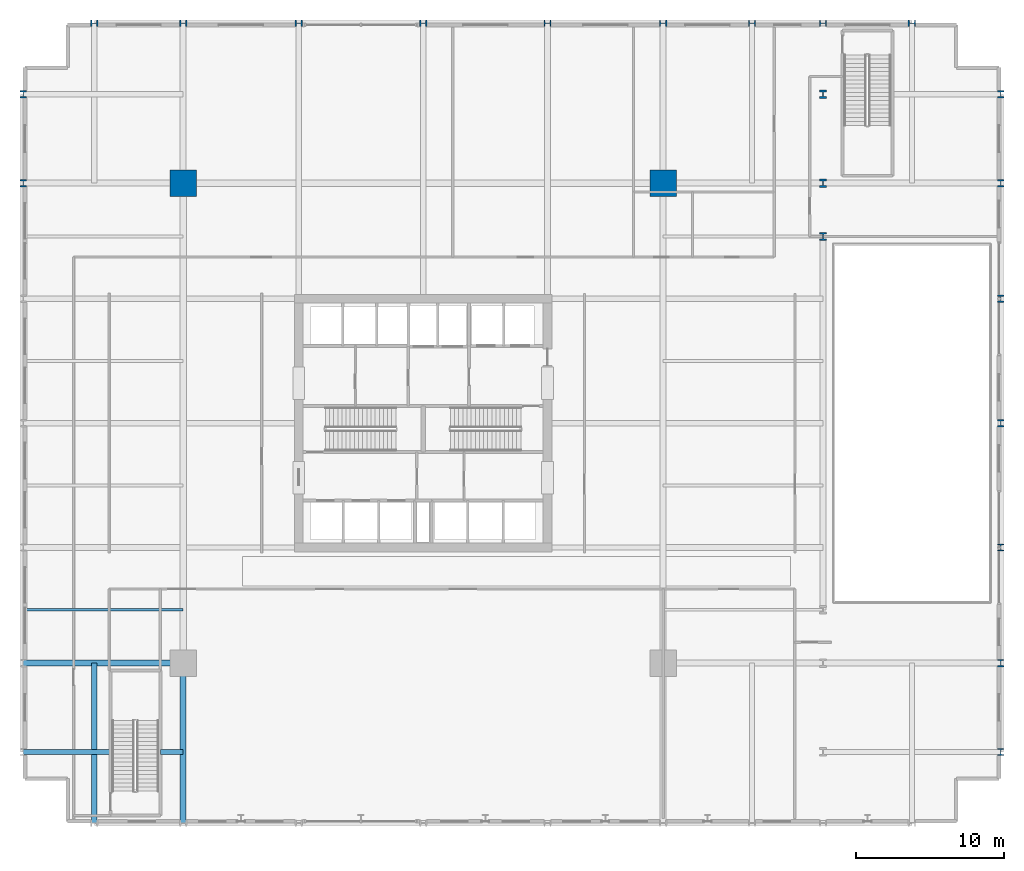
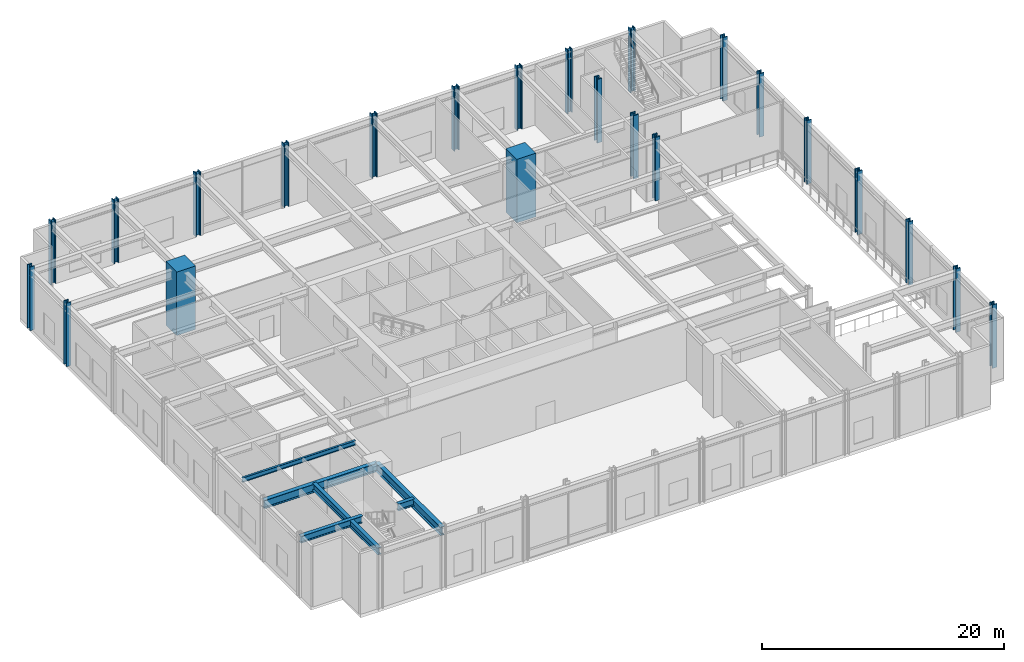
# One storey, part 2 of 20: 23 columns, 6 beams.
"""IFC4 building model written with IfcOpenShell, lengths in metres."""

import ifcopenshell
import ifcopenshell.guid

model = None  # the IFC model being written
_history = None  # IfcOwnerHistory: only IFC2X3 demands one
_inside = {}  # id of a spatial element -> (the spatial element, [elements in it])
_under = {}  # id of a project, library or spatial element -> (it, [spatial elements below it])
_declared = {}  # id of a project -> (the project, [libraries it declares])
_typed = {}  # id of a type object -> (the type object, [elements of that type])
_made_of = {}  # id of a material, layer set ... -> (it, [elements and type objects made of it])


def new_model(schema):
    """Start an empty IFC model of exactly this schema.

    Asked for "IFC4X3", IfcOpenShell would pick the latest addendum, in which some entities
    have other attributes; the version numbers below select the first issue.
    IFC2X3 requires an IfcOwnerHistory on every rooted entity: one is made here for all.
    """
    global model, _history
    if schema == "IFC4X3":
        model = ifcopenshell.file(schema_version=(4, 3, 0, 0))
    else:
        model = ifcopenshell.file(schema=schema)
    _inside.clear()
    _under.clear()
    _declared.clear()
    _typed.clear()
    _made_of.clear()
    _history = None
    if model.schema == "IFC2X3":
        org = make("IfcOrganization", Name="unknown")
        user = make(
            "IfcPersonAndOrganization",
            ThePerson=make("IfcPerson", FamilyName="unknown"),
            TheOrganization=org,
        )
        app = make(
            "IfcApplication",
            ApplicationDeveloper=org,
            Version="unknown",
            ApplicationFullName="unknown",
            ApplicationIdentifier="unknown",
        )
        _history = make(
            "IfcOwnerHistory",
            OwningUser=user,
            OwningApplication=app,
            ChangeAction="ADDED",
            CreationDate=0,
        )
    return model


def make(cls, **values):
    """One entity of the class cls with the attributes given. An attribute that is None is left unset."""
    return model.create_entity(
        cls, **{name: value for name, value in values.items() if value is not None}
    )


def rooted(cls, **values):
    """An entity with a GlobalId (a new one), such as an element, a storey or a relation."""
    return make(cls, GlobalId=ifcopenshell.guid.new(), OwnerHistory=_history, **values)


def si_unit(unit_type, name, prefix=None):
    """IfcSIUnit, for example si_unit("LENGTHUNIT", "METRE", prefix="MILLI")."""
    return make("IfcSIUnit", UnitType=unit_type, Prefix=prefix, Name=name)


def assignment(units):
    """IfcUnitAssignment: the units of a project."""
    return None if units is None else make("IfcUnitAssignment", Units=units)


def point(xyz):
    """IfcCartesianPoint."""
    return None if xyz is None else make("IfcCartesianPoint", Coordinates=xyz)


def direction(xyz):
    """IfcDirection."""
    return None if xyz is None else make("IfcDirection", DirectionRatios=xyz)


def frame(location, z_axis=None, x_axis=None):
    """IfcAxis2Placement3D, a coordinate frame: its origin and axes. An axis left out is left unset."""
    return make(
        "IfcAxis2Placement3D",
        Location=point(location),
        Axis=direction(z_axis),
        RefDirection=direction(x_axis),
    )


def frame_2d(location, x_axis=None):
    """IfcAxis2Placement2D, a coordinate frame in the plane: its origin and x axis."""
    return make(
        "IfcAxis2Placement2D", Location=point(location), RefDirection=direction(x_axis)
    )


def origin():
    """The frame at (0, 0, 0) with its axes left unset."""
    return frame((0.0, 0.0, 0.0))


def origin_2d():
    """The frame at (0, 0) in the plane with its x axis left unset."""
    return frame_2d((0.0, 0.0))


def place(relative_to, where):
    """IfcLocalPlacement: puts the frame where relative to a parent placement (None: the world)."""
    return make(
        "IfcLocalPlacement", PlacementRelTo=relative_to, RelativePlacement=where
    )


def context(
    kind, dimensions, precision=None, world=None, true_north=None, identifier=None
):
    """IfcGeometricRepresentationContext, for example the 3D "Model" context."""
    return make(
        "IfcGeometricRepresentationContext",
        ContextIdentifier=identifier,
        ContextType=kind,
        CoordinateSpaceDimension=dimensions,
        Precision=precision,
        WorldCoordinateSystem=world,
        TrueNorth=true_north,
    )


def subcontext(parent, identifier, kind, view, scale=None):
    """IfcGeometricRepresentationSubContext, for example "Body" below "Model"."""
    return make(
        "IfcGeometricRepresentationSubContext",
        ContextIdentifier=identifier,
        ContextType=kind,
        ParentContext=parent,
        TargetScale=scale,
        TargetView=view,
    )


def project(units=None, contexts=None):
    """IfcProject with its units and contexts."""
    return rooted(
        "IfcProject",
        Name="project",
        RepresentationContexts=contexts,
        UnitsInContext=assignment(units),
    )


def spatial(cls, under=None, at=None, **own):
    """A site, building, storey or space (cls), placed at a placement, below another one or the project."""
    s = rooted(cls, ObjectPlacement=at, **own)
    if under is not None:
        _under.setdefault(under.id(), (under, []))[1].append(s)
    return s


def profile(cls, at=None, kind="AREA", **sizes):
    """A parametric profile (cls). Its sizes go by their IFC names, for example OverallWidth=200.0."""
    return make(cls, ProfileType=kind, Position=at, **sizes)


def rectangle(**sizes):
    """IfcRectangleProfileDef."""
    return profile("IfcRectangleProfileDef", **sizes)


def i_section(**sizes):
    """IfcIShapeProfileDef."""
    return profile("IfcIShapeProfileDef", **sizes)


def extrude(swept, where, along, depth):
    """IfcExtrudedAreaSolid: the profile swept, set in the frame where, extruded along a direction by depth."""
    return make(
        "IfcExtrudedAreaSolid",
        SweptArea=swept,
        Position=where,
        ExtrudedDirection=direction(along),
        Depth=depth,
    )


def shape(context_of_items, identifier, shape_type, items):
    """IfcShapeRepresentation: the items that make up one representation, for example the "Body"."""
    return make(
        "IfcShapeRepresentation",
        ContextOfItems=context_of_items,
        RepresentationIdentifier=identifier,
        RepresentationType=shape_type,
        Items=items,
    )


def material(Name=None, Category=None):
    """IfcMaterial."""
    return make("IfcMaterial", Name=Name, Category=Category)


def material_profile(
    of_material, cross_section, Name=None, Category=None, Priority=None
):
    """IfcMaterialProfile: a cross section and its material."""
    return make(
        "IfcMaterialProfile",
        Name=Name,
        Material=of_material,
        Profile=cross_section,
        Priority=Priority,
        Category=Category,
    )


def profile_set(profiles, Name=None, composite=None):
    """IfcMaterialProfileSet."""
    return make(
        "IfcMaterialProfileSet",
        Name=Name,
        MaterialProfiles=profiles,
        CompositeProfile=composite,
    )


def made_of(thing, what):
    """Note that an element or type object is made of a material, layer set ...; save() writes the relation."""
    if what is not None:
        _made_of.setdefault(what.id(), (what, []))[1].append(thing)
    return thing


def type_object(cls, material=None, **own):
    """A type object (cls), such as IfcWallType, which elements share."""
    return made_of(rooted(cls, **own), material)


def element(
    cls,
    number,
    at=None,
    inside=None,
    cuts=None,
    type_object=None,
    material=None,
    context=None,
    identifier="Body",
    shape_type=None,
    held_by="IfcProductDefinitionShape",
    body=None,
    shapes=None,
    **own,
):
    """One element of the class cls, such as IfcWall. Its Tag is "e" and its number.

    at: its placement. inside: the storey or other place that contains it. cuts: it is an
    opening in that element (IfcRelVoidsElement). A single representation is given by context,
    identifier, shape_type and body (its items); several are given by shapes. held_by: the class
    of the entity that holds the representations. save() writes the other relations.
    """
    e = rooted(cls, Tag="e%d" % number, ObjectPlacement=at, **own)
    if body is not None:
        shapes = [shape(context, identifier, shape_type, body)]
    if shapes is not None:
        e.Representation = make(held_by, Representations=shapes)
    if inside is not None:
        _inside.setdefault(inside.id(), (inside, []))[1].append(e)
    if cuts is not None:
        rooted(
            "IfcRelVoidsElement", RelatingBuildingElement=cuts, RelatedOpeningElement=e
        )
    if type_object is not None:
        _typed.setdefault(type_object.id(), (type_object, []))[1].append(e)
    return made_of(e, material)


def aggregate(whole, parts):
    """IfcRelAggregates: a whole, such as a stair, and the parts it consists of."""
    return rooted("IfcRelAggregates", RelatingObject=whole, RelatedObjects=parts)


def save(model, path):
    """Write the relations noted so far, then the file.

    IfcRelAggregates (storeys below a building ...), IfcRelContainedInSpatialStructure (elements
    in a storey), IfcRelDefinesByType, IfcRelAssociatesMaterial and IfcRelDeclares: one each for
    every whole, place, type object, material and project.
    """
    for whole, parts in _under.values():
        aggregate(whole, parts)
    for where, things in _inside.values():
        rooted(
            "IfcRelContainedInSpatialStructure",
            RelatedElements=things,
            RelatingStructure=where,
        )
    for kind, things in _typed.values():
        rooted("IfcRelDefinesByType", RelatedObjects=things, RelatingType=kind)
    for what, things in _made_of.values():
        rooted("IfcRelAssociatesMaterial", RelatedObjects=things, RelatingMaterial=what)
    for by, libraries in _declared.values():
        rooted("IfcRelDeclares", RelatingContext=by, RelatedDefinitions=libraries)
    model.write(path)


model = new_model("IFC4")

# Units and contexts
model_context = context("Model", 3, precision=1e-05, world=origin(), true_north=direction((0.0, 1.0)))
body_context = subcontext(model_context, "Body", "Model", "MODEL_VIEW")
ifc_project = project(units=[si_unit("LENGTHUNIT", "METRE"), si_unit("AREAUNIT", "SQUARE_METRE"), si_unit("VOLUMEUNIT", "CUBIC_METRE"), si_unit("PLANEANGLEUNIT", "RADIAN"), si_unit("MASSUNIT", "GRAM", prefix="KILO")], contexts=[model_context])

# Site, building, storey
site_placement = place(None, origin())
site = spatial("IfcSite", under=ifc_project, at=site_placement, CompositionType="ELEMENT")
building_placement = place(site_placement, origin())
building = spatial("IfcBuilding", under=site, at=building_placement, Name="Drelvath Grand Hotel", CompositionType="ELEMENT")
storey_placement = place(building_placement, frame((0.0, 0.0, 10.800048828125)))
storey = spatial("IfcBuildingStorey", under=building, at=storey_placement, Name="L02", CompositionType="ELEMENT", Elevation=10.800048828125)

# Columns
ifc_material_1 = material(Name="Concrete f'c 70 MPa", Category="concrete")
ifc_material_profile_1 = material_profile(ifc_material_1, rectangle(XDim=1.800048828125, YDim=1.800048828125, at=origin_2d()), Name="MC1800X1800")
ifc_profile_set_1 = profile_set([ifc_material_profile_1], Name="Concrete f'c 70 MPa")
column_type_1 = type_object("IfcColumnType", Name="Composite Mega Column MC1800X1800", PredefinedType="COLUMN", material=ifc_profile_set_1)
for number, where, z_axis, x_axis, name in (
    (1, (-16.199951171875, 43.199951171875, 0.0), (0.0, 0.0, 1.0), (1.0, 0.0, 0.0), "L02 Composite Mega Column MC-NW"),
    (2, (16.199951171875, 43.199951171875, 0.0), (0.0, 0.0, 1.0), (1.0, 0.0, 0.0), "L02 Composite Mega Column MC-NE"),
):
    element("IfcColumn", number, at=place(storey_placement, frame(where, z_axis=z_axis, x_axis=x_axis)), inside=storey, type_object=column_type_1, Name=name, PredefinedType="COLUMN", context=body_context, shape_type="SweptSolid", body=[
        extrude(rectangle(XDim=1.800048828125, YDim=1.800048828125, at=origin_2d()), origin(), (0.0, 0.0, 1.0), 6.39990234375),
    ])
ifc_material_2 = material(Name="Steel ASTM A913 Gr 65", Category="steel")
ifc_material_profile_2 = material_profile(ifc_material_2, i_section(OverallWidth=0.43212890625, OverallDepth=0.497802734375, WebThickness=0.0556640625, FlangeThickness=0.0888671875, FilletRadius=0.030029296875, at=origin_2d()), Name="W14X500")
ifc_profile_set_2 = profile_set([ifc_material_profile_2], Name="Steel ASTM A913 Gr 65")
column_type_2 = type_object("IfcColumnType", Name="Perimeter Steel Column W14X500", PredefinedType="COLUMN", material=ifc_profile_set_2)
for number, where, z_axis, x_axis, name in (
    (3, (39.0, 4.800048828125, 0.0), (0.0, 0.0, 1.0), (1.0, 0.0, 0.0), "L02 Structural Column PCE-B"),
    (4, (39.0, 10.800048828125, 0.0), (0.0, 0.0, 1.0), (1.0, 0.0, 0.0), "L02 Structural Column PCE-C"),
    (5, (39.0, 18.60009765625, 0.0), (0.0, 0.0, 1.0), (1.0, 0.0, 0.0), "L02 Structural Column PCE-D"),
    (6, (39.0, 27.0, 0.0), (0.0, 0.0, 1.0), (1.0, 0.0, 0.0), "L02 Structural Column PCE-E"),
    (7, (39.0, 35.39990234375, 0.0), (0.0, 0.0, 1.0), (1.0, 0.0, 0.0), "L02 Structural Column PCE-F"),
    (8, (-27.0, 43.199951171875, 0.0), (0.0, 0.0, 1.0), (1.0, 0.0, 0.0), "L02 Structural Column PCW-G"),
    (9, (39.0, 43.199951171875, 0.0), (0.0, 0.0, 1.0), (1.0, 0.0, 0.0), "L02 Structural Column PCE-G"),
    (10, (-27.0, 49.199951171875, 0.0), (0.0, 0.0, 1.0), (1.0, 0.0, 0.0), "L02 Structural Column PCW-H"),
    (11, (39.0, 49.199951171875, 0.0), (0.0, 0.0, 1.0), (1.0, 0.0, 0.0), "L02 Structural Column PCE-H"),
    (12, (-22.199951171875, 54.0, 0.0), (0.0, 0.0, 1.0), (0.0, 1.0, 0.0), "L02 Structural Column PCN-2"),
    (13, (-16.199951171875, 54.0, 0.0), (0.0, 0.0, 1.0), (0.0, 1.0, 0.0), "L02 Structural Column PCN-3"),
    (14, (-8.39990234375, 54.0, 0.0), (0.0, 0.0, 1.0), (0.0, 1.0, 0.0), "L02 Structural Column PCN-4"),
    (15, (0.0, 54.0, 0.0), (0.0, 0.0, 1.0), (0.0, 1.0, 0.0), "L02 Structural Column PCN-5"),
    (16, (8.39990234375, 54.0, 0.0), (0.0, 0.0, 1.0), (0.0, 1.0, 0.0), "L02 Structural Column PCN-6"),
    (17, (16.199951171875, 54.0, 0.0), (0.0, 0.0, 1.0), (0.0, 1.0, 0.0), "L02 Structural Column PCN-7"),
    (18, (22.199951171875, 54.0, 0.0), (0.0, 0.0, 1.0), (0.0, 1.0, 0.0), "L02 Structural Column PCN-8"),
    (19, (27.0, 54.0, 0.0), (0.0, 0.0, 1.0), (0.0, 1.0, 0.0), "L02 Structural Column PCN-9"),
    (20, (33.0, 54.0, 0.0), (0.0, 0.0, 1.0), (0.0, 1.0, 0.0), "L02 Structural Column PCN-10"),
):
    element("IfcColumn", number, at=place(storey_placement, frame(where, z_axis=z_axis, x_axis=x_axis)), inside=storey, type_object=column_type_2, Name=name, PredefinedType="COLUMN", context=body_context, shape_type="SweptSolid", body=[
        extrude(i_section(OverallWidth=0.43212890625, OverallDepth=0.497802734375, WebThickness=0.0556640625, FlangeThickness=0.0888671875, FilletRadius=0.030029296875, at=origin_2d()), origin(), (0.0, 0.0, 1.0), 6.39990234375),
    ])
ifc_material_profile_3 = material_profile(ifc_material_2, i_section(OverallWidth=0.454345703125, OverallDepth=0.569091796875, WebThickness=0.077880859375, FlangeThickness=0.124755859375, FilletRadius=0.030029296875, at=origin_2d()), Name="W14X730")
ifc_profile_set_3 = profile_set([ifc_material_profile_3], Name="Steel ASTM A913 Gr 65")
column_type_3 = type_object("IfcColumnType", Name="Perimeter Steel Column W14X730", PredefinedType="COLUMN", material=ifc_profile_set_3)
for number, where, z_axis, x_axis, name in (
    (21, (27.0, 39.60009765625, 0.0), (0.0, 0.0, 1.0), (1.0, 0.0, 0.0), "L02 Structural Column PCP9-AT2"),
    (22, (27.0, 43.199951171875, 0.0), (0.0, 0.0, 1.0), (1.0, 0.0, 0.0), "L02 Structural Column PCP9-G"),
    (23, (27.0, 49.199951171875, 0.0), (0.0, 0.0, 1.0), (1.0, 0.0, 0.0), "L02 Structural Column PCP9-H"),
):
    element("IfcColumn", number, at=place(storey_placement, frame(where, z_axis=z_axis, x_axis=x_axis)), inside=storey, type_object=column_type_3, Name=name, PredefinedType="COLUMN", context=body_context, shape_type="SweptSolid", body=[
        extrude(i_section(OverallWidth=0.454345703125, OverallDepth=0.569091796875, WebThickness=0.077880859375, FlangeThickness=0.124755859375, FilletRadius=0.030029296875, at=origin_2d()), origin(), (0.0, 0.0, 1.0), 6.39990234375),
    ])

# Beams
ifc_material_3 = material(Name="Steel ASTM A992 Gr 50", Category="steel")
ifc_material_profile_4 = material_profile(ifc_material_3, i_section(OverallWidth=0.19140625, OverallDepth=0.4599609375, WebThickness=0.010009765625, FlangeThickness=0.01611328125, FilletRadius=0.01611328125, at=origin_2d()), Name="W18X55")
ifc_profile_set_4 = profile_set([ifc_material_profile_4], Name="Steel ASTM A992 Gr 50")
beam_type_1 = type_object("IfcBeamType", Name="Composite Floor Joist W18X55", PredefinedType="JOIST", material=ifc_profile_set_4)
beam_1_placement = place(storey_placement, frame((-27.0, 14.39990234375, 5.869873046875), z_axis=(1.0, 0.0, 0.0), x_axis=(0.0, 1.0, 0.0)))
element("IfcBeam", 24, at=beam_1_placement, inside=storey, type_object=beam_type_1, Name="L02 West Composite Joist J3", PredefinedType="JOIST", context=body_context, shape_type="SweptSolid", body=[
    extrude(i_section(OverallWidth=0.19140625, OverallDepth=0.4599609375, WebThickness=0.010009765625, FlangeThickness=0.01611328125, FilletRadius=0.01611328125, at=origin_2d()), origin(), (0.0, 0.0, 1.0), 10.800048828125),
])
ifc_material_profile_5 = material_profile(ifc_material_3, i_section(OverallWidth=0.354736328125, OverallDepth=0.695556640625, WebThickness=0.015380859375, FlangeThickness=0.025146484375, FilletRadius=0.02392578125, at=origin_2d()), Name="W27X146")
ifc_profile_set_5 = profile_set([ifc_material_profile_5], Name="Steel ASTM A992 Gr 50")
beam_type_2 = type_object("IfcBeamType", Name="Primary Floor Girder W27X146", PredefinedType="BEAM", material=ifc_profile_set_5)
beam_2_placement = place(storey_placement, frame((-27.0, 4.800048828125, 5.752197265625), z_axis=(1.0, 0.0, 0.0), x_axis=(0.0, 1.0, 0.0)))
element("IfcBeam", 25, at=beam_2_placement, inside=storey, type_object=beam_type_2, Name="L02 West Corner Tie B1", PredefinedType="BEAM", context=body_context, shape_type="SweptSolid", body=[
    extrude(i_section(OverallWidth=0.354736328125, OverallDepth=0.695556640625, WebThickness=0.015380859375, FlangeThickness=0.025146484375, FilletRadius=0.02392578125, at=origin_2d()), origin(), (0.0, 0.0, 1.0), 5.89990234375),
])
beam_3_placement = place(storey_placement, frame((-17.739990234375, 4.800048828125, 5.752197265625), z_axis=(1.0, 0.0, 0.0), x_axis=(0.0, 1.0, 0.0)))
element("IfcBeam", 26, at=beam_3_placement, inside=storey, type_object=beam_type_2, Name="L02 West Corner Tie B2", PredefinedType="BEAM", context=body_context, shape_type="SweptSolid", body=[
    extrude(i_section(OverallWidth=0.354736328125, OverallDepth=0.695556640625, WebThickness=0.015380859375, FlangeThickness=0.025146484375, FilletRadius=0.02392578125, at=origin_2d()), origin(), (0.0, 0.0, 1.0), 1.5400390625),
])
beam_4_placement = place(storey_placement, frame((-22.199951171875, 0.0, 5.752197265625), z_axis=(0.0, 1.0, 0.0), x_axis=(-1.0, 0.0, 0.0)))
element("IfcBeam", 27, at=beam_4_placement, inside=storey, type_object=beam_type_2, Name="L02 South Corner Tie 2", PredefinedType="BEAM", context=body_context, shape_type="SweptSolid", body=[
    extrude(i_section(OverallWidth=0.354736328125, OverallDepth=0.695556640625, WebThickness=0.015380859375, FlangeThickness=0.025146484375, FilletRadius=0.02392578125, at=origin_2d()), origin(), (0.0, 0.0, 1.0), 10.800048828125),
])
ifc_material_profile_6 = material_profile(ifc_material_3, i_section(OverallWidth=0.39990234375, OverallDepth=0.85546875, WebThickness=0.018310546875, FlangeThickness=0.029296875, FilletRadius=0.02490234375, at=origin_2d()), Name="W33X201")
ifc_profile_set_6 = profile_set([ifc_material_profile_6], Name="Steel ASTM A992 Gr 50")
beam_type_3 = type_object("IfcBeamType", Name="Primary Floor Girder W33X201", PredefinedType="BEAM", material=ifc_profile_set_6)
for number, where, z_axis, x_axis, name in (
    (28, (-27.0, 10.800048828125, 5.672119140625), (1.0, 0.0, 0.0), (0.0, 1.0, 0.0), "L02 West Podium Girder C"),
    (29, (-16.199951171875, 0.0, 5.672119140625), (0.0, 1.0, 0.0), (-1.0, 0.0, 0.0), "L02 South Podium Girder 3"),
):
    element("IfcBeam", number, at=place(storey_placement, frame(where, z_axis=z_axis, x_axis=x_axis)), inside=storey, type_object=beam_type_3, Name=name, PredefinedType="BEAM", context=body_context, shape_type="SweptSolid", body=[
        extrude(i_section(OverallWidth=0.39990234375, OverallDepth=0.85546875, WebThickness=0.018310546875, FlangeThickness=0.029296875, FilletRadius=0.02490234375, at=origin_2d()), origin(), (0.0, 0.0, 1.0), 10.800048828125),
    ])

save(model, "model.ifc")
